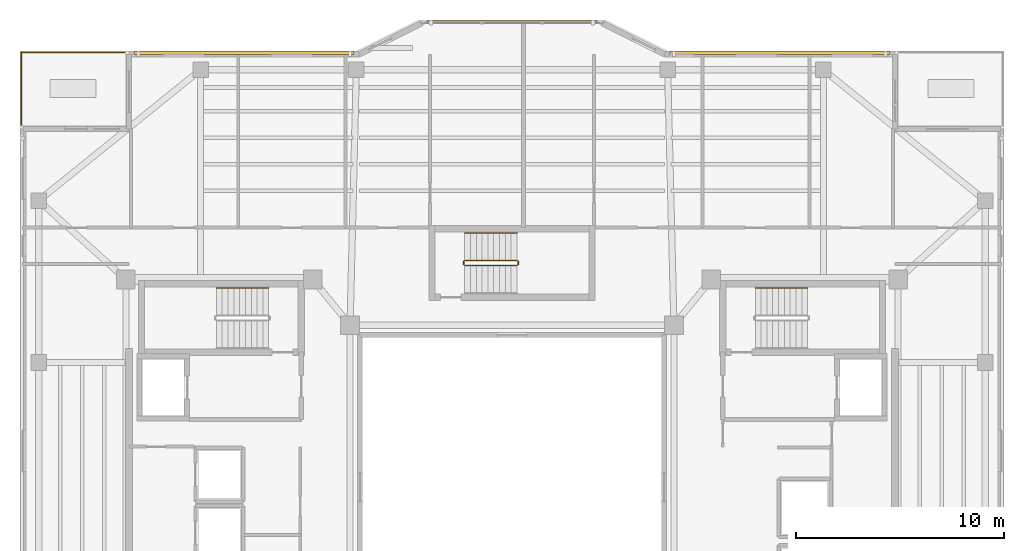
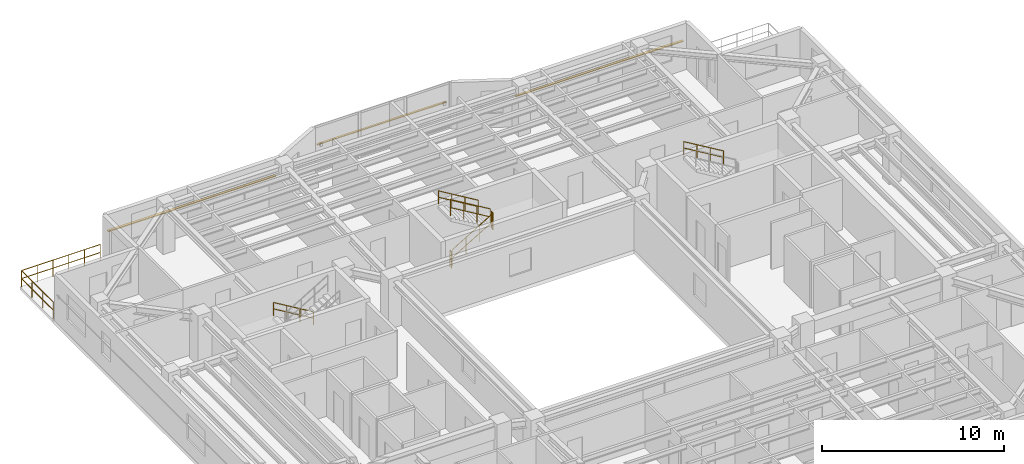
# One storey, part 14 of 15: 9 railings, 3 shading devices.
"""IFC4 building model written with IfcOpenShell, lengths in metres."""

from ifc_helpers import new_model, si_unit, direction, frame, origin, origin_2d, place, context, subcontext, project, spatial, rectangle, circle, extrude, material, material_profile, profile_set, type_object, element, save


model = new_model("IFC4")

# Units and contexts
model_context = context("Model", 3, precision=1e-05, world=origin(), true_north=direction((0.0, 1.0)))
body_context = subcontext(model_context, "Body", "Model", "MODEL_VIEW")
ifc_project = project(units=[si_unit("LENGTHUNIT", "METRE"), si_unit("AREAUNIT", "SQUARE_METRE"), si_unit("VOLUMEUNIT", "CUBIC_METRE"), si_unit("PLANEANGLEUNIT", "RADIAN"), si_unit("MASSUNIT", "GRAM", prefix="KILO")], contexts=[model_context])

# Site, building, storey
site_placement = place(None, origin())
site = spatial("IfcSite", under=ifc_project, at=site_placement, CompositionType="ELEMENT")
building_placement = place(site_placement, origin())
building = spatial("IfcBuilding", under=site, at=building_placement, Name="Tarnavaz Court Tower", CompositionType="ELEMENT")
storey_placement = place(building_placement, frame((0.0, 0.0, 186.89990234375)))
storey = spatial("IfcBuildingStorey", under=building, at=storey_placement, Name="L50", CompositionType="ELEMENT", Elevation=186.89990234375)

# Railings
ifc_material_1 = material(Name="Anodised Aluminium 6063-T6 and Laminated Safety Glass", Category="aluminium")
railing_type_1 = type_object("IfcRailingType", Name="RL-BAL-1120", PredefinedType="BALUSTRADE", material=ifc_material_1)
railing_1_placement = place(storey_placement, frame((-18.659912109375, 20.93994140625, 0.0)))
element("IfcRailing", 1, at=railing_1_placement, inside=storey, type_object=railing_type_1, Name="L50 Terrace 2 N Perimeter Balustrade", PredefinedType="BALUSTRADE", context=body_context, shape_type="SweptSolid", body=[
    extrude(circle(Radius=0.02392578125, at=origin_2d()), frame((0.0, 0.0, 1.09619140625), z_axis=(-1.0, 0.0, 0.0), x_axis=(0.0, -1.0, 0.0)), (0.0, 0.0, 1.0), 4.97998046875),
    extrude(circle(Radius=0.02392578125, at=origin_2d()), frame((0.0, 0.0, 0.56005859375), z_axis=(-1.0, 0.0, 0.0), x_axis=(0.0, -1.0, 0.0)), (0.0, 0.0, 1.0), 4.97998046875),
    extrude(circle(Radius=0.02099609375, at=origin_2d()), origin(), (0.0, 0.0, 1.0), 1.072021484375),
    extrude(circle(Radius=0.02099609375, at=origin_2d()), frame((-0.99609375, 0.0, 0.0)), (0.0, 0.0, 1.0), 1.072021484375),
    extrude(circle(Radius=0.02099609375, at=origin_2d()), frame((-1.991943359375, 0.0, 0.0)), (0.0, 0.0, 1.0), 1.072021484375),
    extrude(circle(Radius=0.02099609375, at=origin_2d()), frame((-2.988037109375, 0.0, 0.0)), (0.0, 0.0, 1.0), 1.072021484375),
    extrude(circle(Radius=0.02099609375, at=origin_2d()), frame((-3.98388671875, 0.0, 0.0)), (0.0, 0.0, 1.0), 1.072021484375),
    extrude(circle(Radius=0.02099609375, at=origin_2d()), frame((-4.97998046875, 0.0, 0.0)), (0.0, 0.0, 1.0), 1.072021484375),
])
railing_2_placement = place(storey_placement, frame((-23.639892578125, 20.93994140625, 0.0)))
element("IfcRailing", 2, at=railing_2_placement, inside=storey, type_object=railing_type_1, Name="L50 Terrace 2 W Perimeter Balustrade", PredefinedType="BALUSTRADE", context=body_context, shape_type="SweptSolid", body=[
    extrude(circle(Radius=0.02392578125, at=origin_2d()), frame((0.0, 0.0, 1.09619140625), z_axis=(0.0, -1.0, 0.0), x_axis=(1.0, 0.0, 0.0)), (0.0, 0.0, 1.0), 3.47998046875),
    extrude(circle(Radius=0.02392578125, at=origin_2d()), frame((0.0, 0.0, 0.56005859375), z_axis=(0.0, -1.0, 0.0), x_axis=(1.0, 0.0, 0.0)), (0.0, 0.0, 1.0), 3.47998046875),
    extrude(circle(Radius=0.02099609375, at=origin_2d()), origin(), (0.0, 0.0, 1.0), 1.072021484375),
    extrude(circle(Radius=0.02099609375, at=origin_2d()), frame((0.0, -1.159912109375, 0.0)), (0.0, 0.0, 1.0), 1.072021484375),
    extrude(circle(Radius=0.02099609375, at=origin_2d()), frame((0.0, -2.320068359375, 0.0)), (0.0, 0.0, 1.0), 1.072021484375),
    extrude(circle(Radius=0.02099609375, at=origin_2d()), frame((0.0, -3.47998046875, 0.0)), (0.0, 0.0, 1.0), 1.072021484375),
])
ifc_material_2 = material(Name="Brushed Stainless Steel", Category="steel")
railing_type_2 = type_object("IfcRailingType", Name="RL-HANDRAIL-900", PredefinedType="HANDRAIL", material=ifc_material_2)
for number, where, name in (
    (3, (-11.719970703125, 9.590087890625, 0.16748046875), "L50 ST-W1 stair handrail 1"),
    (4, (14.239990234375, 9.590087890625, 1.842529296875), "L50 ST-E1 stair handrail 2"),
    (5, (0.239990234375, 12.239990234375, 1.842529296875), "L50 ST-N1 stair handrail 2"),
):
    element("IfcRailing", number, at=place(storey_placement, frame(where)), inside=storey, type_object=railing_type_2, Name=name, PredefinedType="HANDRAIL", context=body_context, shape_type="SweptSolid", body=[
        extrude(circle(Radius=0.02392578125, at=origin_2d()), frame((0.0, 0.0, 0.8759765625), z_axis=(-0.858159760407, 0.0, 0.513382728203), x_axis=(0.0, -1.0, 0.0)), (0.0, 0.0, 1.0), 2.9365234375),
        extrude(circle(Radius=0.02392578125, at=origin_2d()), frame((0.0, 0.0, 0.449951171875), z_axis=(-0.858159760407, 0.0, 0.513382728203), x_axis=(0.0, -1.0, 0.0)), (0.0, 0.0, 1.0), 2.9365234375),
        extrude(circle(Radius=0.02099609375, at=origin_2d()), origin(), (0.0, 0.0, 1.0), 0.851806640625),
        extrude(circle(Radius=0.02099609375, at=origin_2d()), frame((-0.840087890625, 0.0, 0.50244140625)), (0.0, 0.0, 1.0), 0.851806640625),
        extrude(circle(Radius=0.02099609375, at=origin_2d()), frame((-1.679931640625, 0.0, 1.005126953125)), (0.0, 0.0, 1.0), 0.851806640625),
        extrude(circle(Radius=0.02099609375, at=origin_2d()), frame((-2.52001953125, 0.0, 1.507568359375)), (0.0, 0.0, 1.0), 0.851806640625),
    ])
ifc_material_3 = material(Name="Galvanized Painted Tubular Steel", Category="steel")
railing_type_3 = type_object("IfcRailingType", Name="RL-STGUARD-1120", PredefinedType="GUARDRAIL", material=ifc_material_3)
railing_3_placement = place(storey_placement, frame((-2.280029296875, 10.669921875, 0.16748046875)))
element("IfcRailing", 6, at=railing_3_placement, inside=storey, type_object=railing_type_3, Name="L50 ST-N1 stair guard 1", PredefinedType="GUARDRAIL", context=body_context, shape_type="SweptSolid", body=[
    extrude(circle(Radius=0.02392578125, at=origin_2d()), frame((0.0, 0.0, 1.09619140625), z_axis=(0.858159760407, 0.0, 0.513382728203), x_axis=(0.0, 1.0, 0.0)), (0.0, 0.0, 1.0), 2.9365234375),
    extrude(circle(Radius=0.02392578125, at=origin_2d()), frame((0.0, 0.0, 0.56005859375), z_axis=(0.858159760407, 0.0, 0.513382728203), x_axis=(0.0, 1.0, 0.0)), (0.0, 0.0, 1.0), 2.9365234375),
    extrude(circle(Radius=0.02099609375, at=origin_2d()), origin(), (0.0, 0.0, 1.0), 1.072021484375),
    extrude(circle(Radius=0.02099609375, at=origin_2d()), frame((0.840087890625, 0.0, 0.50244140625)), (0.0, 0.0, 1.0), 1.072021484375),
    extrude(circle(Radius=0.02099609375, at=origin_2d()), frame((1.679931640625, 0.0, 1.005126953125)), (0.0, 0.0, 1.0), 1.072021484375),
    extrude(circle(Radius=0.02099609375, at=origin_2d()), frame((2.52001953125, 0.0, 1.507568359375)), (0.0, 0.0, 1.0), 1.072021484375),
])
railing_4_placement = place(storey_placement, frame((0.2900390625, 10.719970703125, 1.675048828125)))
element("IfcRailing", 7, at=railing_4_placement, inside=storey, type_object=railing_type_3, Name="L50 ST-N1 stair guard 2", PredefinedType="GUARDRAIL", context=body_context, shape_type="SweptSolid", body=[
    extrude(circle(Radius=0.02392578125, at=origin_2d()), frame((0.0, 0.0, 1.09619140625), z_axis=(0.0, 1.0, 0.0), x_axis=(-1.0, 0.0, 0.0)), (0.0, 0.0, 1.0), 0.150146484375),
    extrude(circle(Radius=0.02392578125, at=origin_2d()), frame((0.0, 0.0, 0.56005859375), z_axis=(0.0, 1.0, 0.0), x_axis=(-1.0, 0.0, 0.0)), (0.0, 0.0, 1.0), 0.150146484375),
    extrude(circle(Radius=0.02099609375, at=origin_2d()), origin(), (0.0, 0.0, 1.0), 1.072021484375),
    extrude(circle(Radius=0.02099609375, at=origin_2d()), frame((0.0, 0.150146484375, 0.0)), (0.0, 0.0, 1.0), 1.072021484375),
])
railing_5_placement = place(storey_placement, frame((0.239990234375, 10.919921875, 1.842529296875)))
element("IfcRailing", 8, at=railing_5_placement, inside=storey, type_object=railing_type_3, Name="L50 ST-N1 stair guard 3", PredefinedType="GUARDRAIL", context=body_context, shape_type="SweptSolid", body=[
    extrude(circle(Radius=0.02392578125, at=origin_2d()), frame((0.0, 0.0, 1.09619140625), z_axis=(-0.858159760407, 0.0, 0.513382728203), x_axis=(0.0, -1.0, 0.0)), (0.0, 0.0, 1.0), 2.9365234375),
    extrude(circle(Radius=0.02392578125, at=origin_2d()), frame((0.0, 0.0, 0.56005859375), z_axis=(-0.858159760407, 0.0, 0.513382728203), x_axis=(0.0, -1.0, 0.0)), (0.0, 0.0, 1.0), 2.9365234375),
    extrude(circle(Radius=0.02099609375, at=origin_2d()), origin(), (0.0, 0.0, 1.0), 1.072021484375),
    extrude(circle(Radius=0.02099609375, at=origin_2d()), frame((-0.840087890625, 0.0, 0.50244140625)), (0.0, 0.0, 1.0), 1.072021484375),
    extrude(circle(Radius=0.02099609375, at=origin_2d()), frame((-1.679931640625, 0.0, 1.005126953125)), (0.0, 0.0, 1.0), 1.072021484375),
    extrude(circle(Radius=0.02099609375, at=origin_2d()), frame((-2.52001953125, 0.0, 1.507568359375)), (0.0, 0.0, 1.0), 1.072021484375),
])
railing_6_placement = place(storey_placement, frame((-2.330078125, 10.719970703125, 0.0)))
element("IfcRailing", 9, at=railing_6_placement, inside=storey, type_object=railing_type_3, Name="L50 ST-N1 stair guard 4", PredefinedType="GUARDRAIL", context=body_context, shape_type="SweptSolid", body=[
    extrude(circle(Radius=0.02392578125, at=origin_2d()), frame((0.0, 0.0, 1.09619140625), z_axis=(0.0, 1.0, 0.0), x_axis=(-1.0, 0.0, 0.0)), (0.0, 0.0, 1.0), 0.150146484375),
    extrude(circle(Radius=0.02392578125, at=origin_2d()), frame((0.0, 0.0, 0.56005859375), z_axis=(0.0, 1.0, 0.0), x_axis=(-1.0, 0.0, 0.0)), (0.0, 0.0, 1.0), 0.150146484375),
    extrude(circle(Radius=0.02099609375, at=origin_2d()), origin(), (0.0, 0.0, 1.0), 1.072021484375),
    extrude(circle(Radius=0.02099609375, at=origin_2d()), frame((0.0, 0.150146484375, 0.0)), (0.0, 0.0, 1.0), 1.072021484375),
])

# Shading devices
ifc_material_4 = material(Name="Kiln-Fired Khorasan Terracotta Ceramic", Category="masonry")
ifc_material_profile_1 = material_profile(ifc_material_4, rectangle(XDim=0.1201171875, YDim=0.06005859375, at=origin_2d()), Name="TC BAGUETTE 120X60")
ifc_profile_set_1 = profile_set([ifc_material_profile_1], Name="Kiln-Fired Khorasan Terracotta Ceramic")
shading_device_type_1 = type_object("IfcShadingDeviceType", Name="SD-BAG-120", PredefinedType="USERDEFINED", material=ifc_profile_set_1)
shading_device_placement = place(storey_placement, frame((-4.10009765625, 22.409912109375, 1.800048828125), z_axis=(1.0, 0.0, 0.0), x_axis=(0.0, 1.0, 0.0)))
element("IfcShadingDevice", 10, at=shading_device_placement, inside=storey, type_object=shading_device_type_1, Name="L50 Terracotta Baguette Screen PBG7", ObjectType="BAGUETTE", PredefinedType="USERDEFINED", context=body_context, shape_type="SweptSolid", body=[
    extrude(rectangle(XDim=0.1201171875, YDim=0.06005859375, at=origin_2d()), origin(), (0.0, 0.0, 1.0), 8.2001953125),
])
ifc_material_profile_2 = material_profile(ifc_material_4, rectangle(XDim=0.14990234375, YDim=0.06494140625, at=origin_2d()), Name="TC BAGUETTE 150X65")
ifc_profile_set_2 = profile_set([ifc_material_profile_2], Name="Kiln-Fired Khorasan Terracotta Ceramic")
shading_device_type_2 = type_object("IfcShadingDeviceType", Name="SD-BAG-150", PredefinedType="USERDEFINED", material=ifc_profile_set_2)
for number, where, z_axis, x_axis, name in (
    (11, (-18.199951171875, 20.909912109375, 1.85009765625), (1.0, 0.0, 0.0), (0.0, 1.0, 0.0), "L50 Terracotta Baguette Screen FBG05"),
    (12, (7.60009765625, 20.909912109375, 1.85009765625), (1.0, 0.0, 0.0), (0.0, 1.0, 0.0), "L50 Terracotta Baguette Screen FBG09"),
):
    element("IfcShadingDevice", number, at=place(storey_placement, frame(where, z_axis=z_axis, x_axis=x_axis)), inside=storey, type_object=shading_device_type_2, Name=name, ObjectType="BAGUETTE", PredefinedType="USERDEFINED", context=body_context, shape_type="SweptSolid", body=[
        extrude(rectangle(XDim=0.14990234375, YDim=0.06494140625, at=origin_2d()), origin(), (0.0, 0.0, 1.0), 10.599853515625),
    ])

save(model, "model.ifc")
